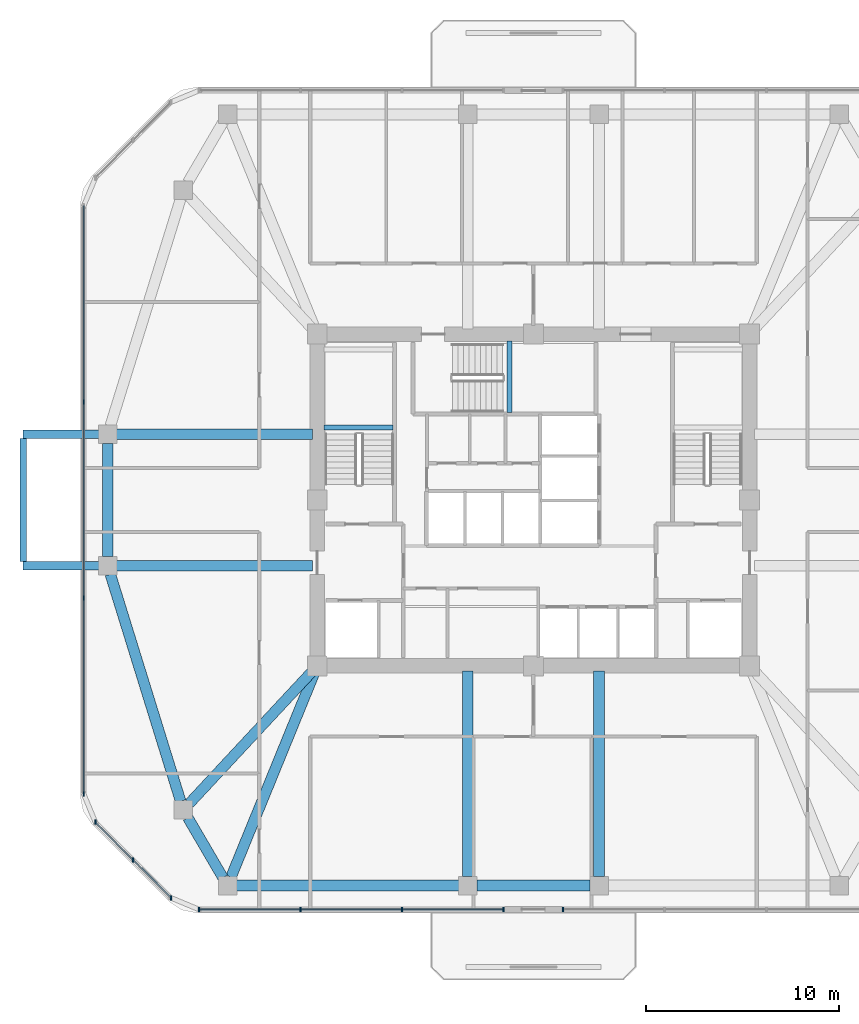
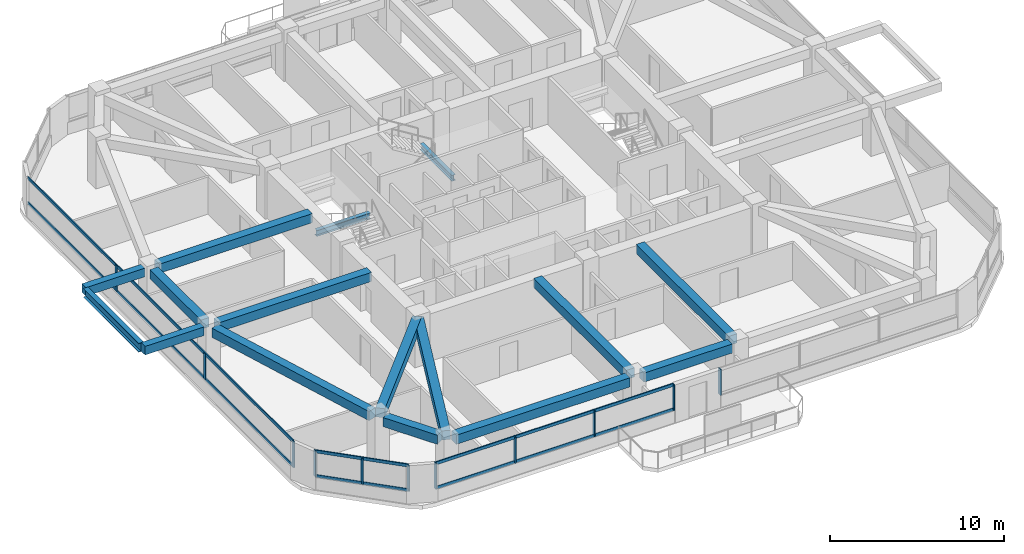
# One storey, part 2 of 12: 17 members, 16 beams, 4 elements without a shape of their own.
"""IFC4 building model written with IfcOpenShell, lengths in metres."""

from ifc_helpers import new_model, si_unit, derived_unit, direction, frame, origin, origin_2d, place, context, subcontext, project, spatial, rectangle, i_section, extrude, material, material_profile, profile_set, type_object, element, aggregate, save


model = new_model("IFC4")

# Units and contexts
model_context = context("Model", 3, precision=1e-05, world=origin(), true_north=direction((0.0, 1.0)))
body_context = subcontext(model_context, "Body", "Model", "MODEL_VIEW")
ifc_project = project(units=[si_unit("LENGTHUNIT", "METRE"), si_unit("AREAUNIT", "SQUARE_METRE"), si_unit("VOLUMEUNIT", "CUBIC_METRE"), si_unit("PLANEANGLEUNIT", "RADIAN"), si_unit("MASSUNIT", "GRAM", prefix="KILO"), derived_unit("THERMALTRANSMITTANCEUNIT", [(si_unit("POWERUNIT", "WATT"), 1), (si_unit("LENGTHUNIT", "METRE"), -2), (si_unit("THERMODYNAMICTEMPERATUREUNIT", "KELVIN"), -1)])], contexts=[model_context])

# Site, building, storey
site_placement = place(None, origin())
site = spatial("IfcSite", under=ifc_project, at=site_placement, CompositionType="ELEMENT")
building_placement = place(site_placement, origin())
building = spatial("IfcBuilding", under=site, at=building_placement, Name="Koralith Skygarden Medical Center", CompositionType="ELEMENT")
storey_placement = place(building_placement, frame((0.0, 0.0, 152.820068359375)))
storey = spatial("IfcBuildingStorey", under=building, at=storey_placement, Name="L39", CompositionType="ELEMENT", Elevation=152.820068359375)

# Curtain wall, members
ifc_material_1 = material(Name="Clear Laminated Glass", Category="glass")
curtain_wall_type = type_object("IfcCurtainWallType", Name="CW-4 Zone 3 Waist High-Wind Curtain Wall", PredefinedType="NOTDEFINED", material=ifc_material_1)
curtain_wall_1_placement = place(storey_placement, origin())
curtain_wall_1 = element("IfcCurtainWall", 1, at=curtain_wall_1_placement, inside=storey, type_object=curtain_wall_type, Name="Curtain Wall CW-L39-S-L", PredefinedType="NOTDEFINED")
ifc_material_2 = material(Name="Aluminium 6063-T6", Category="aluminium")
ifc_material_profile_1 = material_profile(ifc_material_2, rectangle(XDim=0.076904296875, YDim=0.22998046875, at=origin_2d()), Name="MUL77X230")
ifc_profile_set_1 = profile_set([ifc_material_profile_1], Name="Aluminium 6063-T6")
member_type_1 = type_object("IfcMemberType", Name="CW-4 Extruded Mullion 77x230", PredefinedType="MULLION", material=ifc_profile_set_1)
member_1_placement = place(storey_placement, frame((19.6708984375, 4.679931640625, 0.849853515625), z_axis=(0.0, 0.0, 1.0), x_axis=(1.0, 0.0, 0.0)))
member_1 = element("IfcMember", 2, at=member_1_placement, type_object=member_type_1, Name="CW-L39-S-L Mullion 1", PredefinedType="MULLION", context=body_context, shape_type="SweptSolid", body=[
    extrude(rectangle(XDim=0.076904296875, YDim=0.22998046875, at=origin_2d()), origin(), (0.0, 0.0, 1.0), 1.820068359375),
])
member_2_placement = place(storey_placement, frame((24.93408203125, 4.679931640625, 0.849853515625), z_axis=(0.0, 0.0, 1.0), x_axis=(1.0, 0.0, 0.0)))
member_2 = element("IfcMember", 3, at=member_2_placement, type_object=member_type_1, Name="CW-L39-S-L Mullion 2", PredefinedType="MULLION", context=body_context, shape_type="SweptSolid", body=[
    extrude(rectangle(XDim=0.076904296875, YDim=0.22998046875, at=origin_2d()), origin(), (0.0, 0.0, 1.0), 1.820068359375),
])
member_3_placement = place(storey_placement, frame((30.196044921875, 4.679931640625, 0.849853515625), z_axis=(0.0, 0.0, 1.0), x_axis=(1.0, 0.0, 0.0)))
member_3 = element("IfcMember", 4, at=member_3_placement, type_object=member_type_1, Name="CW-L39-S-L Mullion 3", PredefinedType="MULLION", context=body_context, shape_type="SweptSolid", body=[
    extrude(rectangle(XDim=0.076904296875, YDim=0.22998046875, at=origin_2d()), origin(), (0.0, 0.0, 1.0), 1.820068359375),
])
member_4_placement = place(storey_placement, frame((35.458984375, 4.679931640625, 0.849853515625), z_axis=(0.0, 0.0, 1.0), x_axis=(1.0, 0.0, 0.0)))
member_4 = element("IfcMember", 5, at=member_4_placement, type_object=member_type_1, Name="CW-L39-S-L Mullion 4", PredefinedType="MULLION", context=body_context, shape_type="SweptSolid", body=[
    extrude(rectangle(XDim=0.076904296875, YDim=0.22998046875, at=origin_2d()), origin(), (0.0, 0.0, 1.0), 1.820068359375),
])

# Curtain wall, member
curtain_wall_2_placement = place(storey_placement, origin())
curtain_wall_2 = element("IfcCurtainWall", 6, at=curtain_wall_2_placement, inside=storey, type_object=curtain_wall_type, Name="Curtain Wall CW-L39-S-R", PredefinedType="NOTDEFINED")
member_5_placement = place(storey_placement, frame((38.5390625, 4.679931640625, 0.849853515625), z_axis=(0.0, 0.0, 1.0), x_axis=(1.0, 0.0, 0.0)))
member_5 = element("IfcMember", 7, at=member_5_placement, type_object=member_type_1, Name="CW-L39-S-R Mullion 1", PredefinedType="MULLION", context=body_context, shape_type="SweptSolid", body=[
    extrude(rectangle(XDim=0.076904296875, YDim=0.22998046875, at=origin_2d()), origin(), (0.0, 0.0, 1.0), 1.820068359375),
])
aggregate(curtain_wall_2, [member_5])

# Curtain wall, members
curtain_wall_3_placement = place(storey_placement, origin())
curtain_wall_3 = element("IfcCurtainWall", 8, at=curtain_wall_3_placement, inside=storey, type_object=curtain_wall_type, Name="Curtain Wall CW-L39-W", PredefinedType="NOTDEFINED")
member_6_placement = place(storey_placement, frame((13.696044921875, 30.98193359375, 0.849853515625), z_axis=(0.0, 0.0, 1.0), x_axis=(1.0, 0.0, 0.0)))
member_6 = element("IfcMember", 9, at=member_6_placement, type_object=member_type_1, Name="CW-L39-W Mullion 2", PredefinedType="MULLION", context=body_context, shape_type="SweptSolid", body=[
    extrude(rectangle(XDim=0.076904296875, YDim=0.22998046875, at=origin_2d()), origin(), (0.0, 0.0, 1.0), 1.820068359375),
])
member_7_placement = place(storey_placement, frame((13.696044921875, 20.818115234375, 0.849853515625), z_axis=(0.0, 0.0, 1.0), x_axis=(1.0, 0.0, 0.0)))
member_7 = element("IfcMember", 10, at=member_7_placement, type_object=member_type_1, Name="CW-L39-W Mullion 3", PredefinedType="MULLION", context=body_context, shape_type="SweptSolid", body=[
    extrude(rectangle(XDim=0.076904296875, YDim=0.22998046875, at=origin_2d()), origin(), (0.0, 0.0, 1.0), 1.820068359375),
])
member_8_placement = place(storey_placement, frame((13.696044921875, 10.655029296875, 0.849853515625), z_axis=(0.0, 0.0, 1.0), x_axis=(1.0, 0.0, 0.0)))
member_8 = element("IfcMember", 11, at=member_8_placement, type_object=member_type_1, Name="CW-L39-W Mullion 4", PredefinedType="MULLION", context=body_context, shape_type="SweptSolid", body=[
    extrude(rectangle(XDim=0.076904296875, YDim=0.22998046875, at=origin_2d()), origin(), (0.0, 0.0, 1.0), 1.820068359375),
])

curtain_wall_4_placement = place(storey_placement, origin())
curtain_wall_4 = element("IfcCurtainWall", 12, at=curtain_wall_4_placement, inside=storey, type_object=curtain_wall_type, Name="Curtain Wall CW-L39-SW", PredefinedType="NOTDEFINED")
member_9_placement = place(storey_placement, frame((14.297119140625, 9.2041015625, 0.849853515625), z_axis=(0.0, 0.0, 1.0), x_axis=(1.0, 0.0, 0.0)))
member_9 = element("IfcMember", 13, at=member_9_placement, type_object=member_type_1, Name="CW-L39-SW Mullion 1", PredefinedType="MULLION", context=body_context, shape_type="SweptSolid", body=[
    extrude(rectangle(XDim=0.076904296875, YDim=0.22998046875, at=origin_2d()), origin(), (0.0, 0.0, 1.0), 1.820068359375),
])
member_10_placement = place(storey_placement, frame((16.258056640625, 7.241943359375, 0.849853515625), z_axis=(0.0, 0.0, 1.0), x_axis=(1.0, 0.0, 0.0)))
member_10 = element("IfcMember", 14, at=member_10_placement, type_object=member_type_1, Name="CW-L39-SW Mullion 2", PredefinedType="MULLION", context=body_context, shape_type="SweptSolid", body=[
    extrude(rectangle(XDim=0.076904296875, YDim=0.22998046875, at=origin_2d()), origin(), (0.0, 0.0, 1.0), 1.820068359375),
])
member_11_placement = place(storey_placement, frame((18.219970703125, 5.281005859375, 0.849853515625), z_axis=(0.0, 0.0, 1.0), x_axis=(1.0, 0.0, 0.0)))
member_11 = element("IfcMember", 15, at=member_11_placement, type_object=member_type_1, Name="CW-L39-SW Mullion 3", PredefinedType="MULLION", context=body_context, shape_type="SweptSolid", body=[
    extrude(rectangle(XDim=0.076904296875, YDim=0.22998046875, at=origin_2d()), origin(), (0.0, 0.0, 1.0), 1.820068359375),
])

# Member
ifc_material_profile_2 = material_profile(ifc_material_2, rectangle(XDim=0.072021484375, YDim=0.20703125, at=origin_2d()), Name="TRN72X207")
ifc_profile_set_2 = profile_set([ifc_material_profile_2], Name="Aluminium 6063-T6")
member_type_2 = type_object("IfcMemberType", Name="CW-4 Thermal Transom 72x207", PredefinedType="USERDEFINED", material=ifc_profile_set_2)
member_12_placement = place(storey_placement, frame((19.6708984375, 4.679931640625, 0.89990234375), z_axis=(1.0, 0.0, 0.0), x_axis=(0.0, 1.0, 0.0)))
member_12 = element("IfcMember", 16, at=member_12_placement, type_object=member_type_2, Name="CW-L39-S-L Transom 1", ObjectType="TRANSOM", PredefinedType="USERDEFINED", context=body_context, shape_type="SweptSolid", body=[
    extrude(rectangle(XDim=0.072021484375, YDim=0.20703125, at=origin_2d()), origin(), (0.0, 0.0, 1.0), 15.7880859375),
])

member_13_placement = place(storey_placement, frame((19.6708984375, 4.679931640625, 2.619873046875), z_axis=(1.0, 0.0, 0.0), x_axis=(0.0, 1.0, 0.0)))
member_13 = element("IfcMember", 17, at=member_13_placement, type_object=member_type_2, Name="CW-L39-S-L Transom 2", ObjectType="TRANSOM", PredefinedType="USERDEFINED", context=body_context, shape_type="SweptSolid", body=[
    extrude(rectangle(XDim=0.072021484375, YDim=0.20703125, at=origin_2d()), origin(), (0.0, 0.0, 1.0), 15.7880859375),
])

aggregate(curtain_wall_1, [member_1, member_2, member_3, member_4, member_12, member_13])

member_14_placement = place(storey_placement, frame((13.696044921875, 41.14501953125, 0.89990234375), z_axis=(0.0, -1.0, 0.0), x_axis=(1.0, 0.0, 0.0)))
member_14 = element("IfcMember", 18, at=member_14_placement, type_object=member_type_2, Name="CW-L39-W Transom 1", ObjectType="TRANSOM", PredefinedType="USERDEFINED", context=body_context, shape_type="SweptSolid", body=[
    extrude(rectangle(XDim=0.072021484375, YDim=0.20703125, at=origin_2d()), origin(), (0.0, 0.0, 1.0), 30.489990234375),
])

member_15_placement = place(storey_placement, frame((13.696044921875, 41.14501953125, 2.619873046875), z_axis=(0.0, -1.0, 0.0), x_axis=(1.0, 0.0, 0.0)))
member_15 = element("IfcMember", 19, at=member_15_placement, type_object=member_type_2, Name="CW-L39-W Transom 2", ObjectType="TRANSOM", PredefinedType="USERDEFINED", context=body_context, shape_type="SweptSolid", body=[
    extrude(rectangle(XDim=0.072021484375, YDim=0.20703125, at=origin_2d()), origin(), (0.0, 0.0, 1.0), 30.489990234375),
])

aggregate(curtain_wall_3, [member_6, member_7, member_8, member_14, member_15])

member_16_placement = place(storey_placement, frame((14.297119140625, 9.2041015625, 0.89990234375), z_axis=(0.707084777957, -0.707128783731, 0.0), x_axis=(0.707128783731, 0.707084777957, 0.0)))
member_16 = element("IfcMember", 20, at=member_16_placement, type_object=member_type_2, Name="CW-L39-SW Transom 1", ObjectType="TRANSOM", PredefinedType="USERDEFINED", context=body_context, shape_type="SweptSolid", body=[
    extrude(rectangle(XDim=0.072021484375, YDim=0.20703125, at=origin_2d()), origin(), (0.0, 0.0, 1.0), 5.5478515625),
])

member_17_placement = place(storey_placement, frame((14.297119140625, 9.2041015625, 2.619873046875), z_axis=(0.707084777957, -0.707128783731, 0.0), x_axis=(0.707128783731, 0.707084777957, 0.0)))
member_17 = element("IfcMember", 21, at=member_17_placement, type_object=member_type_2, Name="CW-L39-SW Transom 2", ObjectType="TRANSOM", PredefinedType="USERDEFINED", context=body_context, shape_type="SweptSolid", body=[
    extrude(rectangle(XDim=0.072021484375, YDim=0.20703125, at=origin_2d()), origin(), (0.0, 0.0, 1.0), 5.5478515625),
])

aggregate(curtain_wall_4, [member_9, member_10, member_11, member_16, member_17])

# Beams
ifc_material_3 = material(Name="Steel ASTM A992 Grade 50", Category="steel")
ifc_material_profile_3 = material_profile(ifc_material_3, i_section(OverallWidth=0.326904296875, OverallDepth=0.6220703125, WebThickness=0.015380859375, FlangeThickness=0.0244140625, at=origin_2d()), Name="W24X131")
ifc_profile_set_3 = profile_set([ifc_material_profile_3], Name="Steel ASTM A992 Grade 50")
beam_type_1 = type_object("IfcBeamType", Name="Cantilever Tie Beam W24X131", PredefinedType="BEAM", material=ifc_profile_set_3)
beam_1_placement = place(storey_placement, frame((10.555908203125, 22.719970703125, 3.029052734375), z_axis=(0.0, 1.0, 0.0), x_axis=(-1.0, 0.0, 0.0)))
element("IfcBeam", 22, at=beam_1_placement, inside=storey, type_object=beam_type_1, Name="L40 W Balcony Tip Tie Beam", PredefinedType="BEAM", context=body_context, shape_type="SweptSolid", body=[
    extrude(i_section(OverallWidth=0.326904296875, OverallDepth=0.6220703125, WebThickness=0.015380859375, FlangeThickness=0.0244140625, at=origin_2d()), origin(), (0.0, 0.0, 1.0), 6.360107421875),
])
ifc_material_profile_4 = material_profile(ifc_material_3, i_section(OverallWidth=0.260009765625, OverallDepth=0.4150390625, WebThickness=0.010009765625, FlangeThickness=0.016845703125, at=origin_2d()), Name="W16X67")
ifc_profile_set_4 = profile_set([ifc_material_profile_4], Name="Steel ASTM A992 Grade 50")
beam_type_2 = type_object("IfcBeamType", Name="Clinical Floor Joist W16X67", PredefinedType="JOIST", material=ifc_profile_set_4)
beam_2_placement = place(storey_placement, frame((26.155029296875, 29.659912109375, 1.392822265625), z_axis=(1.0, 0.0, 0.0), x_axis=(0.0, 1.0, 0.0)))
element("IfcBeam", 23, at=beam_2_placement, inside=storey, type_object=beam_type_2, Name="L39 Stair ST1 Half-Landing Support Beam 1A", PredefinedType="JOIST", context=body_context, shape_type="SweptSolid", body=[
    extrude(i_section(OverallWidth=0.260009765625, OverallDepth=0.4150390625, WebThickness=0.010009765625, FlangeThickness=0.016845703125, at=origin_2d()), origin(), (0.0, 0.0, 1.0), 3.56494140625),
])
beam_3_placement = place(storey_placement, frame((35.760009765625, 30.43994140625, 1.392822265625), z_axis=(0.0, 1.0, 0.0), x_axis=(-1.0, 0.0, 0.0)))
element("IfcBeam", 24, at=beam_3_placement, inside=storey, type_object=beam_type_2, Name="L39 Stair ST3 Half-Landing Support Beam 1A", PredefinedType="JOIST", context=body_context, shape_type="SweptSolid", body=[
    extrude(i_section(OverallWidth=0.260009765625, OverallDepth=0.4150390625, WebThickness=0.010009765625, FlangeThickness=0.016845703125, at=origin_2d()), origin(), (0.0, 0.0, 1.0), 3.705078125),
])
ifc_material_4 = material(Name="Concrete C45/55", Category="concrete")
ifc_material_profile_5 = material_profile(ifc_material_4, rectangle(XDim=0.449951171875, YDim=0.60009765625, at=origin_2d()), Name="RCB450X600")
ifc_profile_set_5 = profile_set([ifc_material_profile_5], Name="Concrete C45/55")
beam_type_3 = type_object("IfcBeamType", Name="Planted Balcony Cantilever Beam RCB450X600", PredefinedType="BEAM", material=ifc_profile_set_5)
for number, where, z_axis, x_axis, name in (
    (25, (14.47607421875, 22.5, 3.0400390625), (-1.0, 0.0, 0.0), (0.0, -1.0, 0.0), "L40 W Balcony Cantilever Beam A"),
    (26, (14.47607421875, 29.300048828125, 3.0400390625), (-1.0, 0.0, 0.0), (0.0, -1.0, 0.0), "L40 W Balcony Cantilever Beam B"),
):
    element("IfcBeam", number, at=place(storey_placement, frame(where, z_axis=z_axis, x_axis=x_axis)), inside=storey, type_object=beam_type_3, Name=name, PredefinedType="BEAM", context=body_context, shape_type="SweptSolid", body=[
        extrude(rectangle(XDim=0.449951171875, YDim=0.60009765625, at=origin_2d()), origin(), (0.0, 0.0, 1.0), 3.920166015625),
    ])
ifc_material_profile_6 = material_profile(ifc_material_4, rectangle(XDim=0.550048828125, YDim=0.639892578125, at=origin_2d()), Name="RCB550X640")
ifc_profile_set_6 = profile_set([ifc_material_profile_6], Name="Concrete C45/55")
beam_type_4 = type_object("IfcBeamType", Name="Radial Collector Beam RCB550X640", PredefinedType="BEAM", material=ifc_profile_set_6)
beam_4_placement = place(storey_placement, frame((25.550048828125, 22.5, 3.0), z_axis=(-1.0, 0.0, 0.0), x_axis=(0.0, -1.0, 0.0)))
element("IfcBeam", 27, at=beam_4_placement, inside=storey, type_object=beam_type_4, Name="L39 Radial Collector Beam RB-01", PredefinedType="BEAM", context=body_context, shape_type="SweptSolid", body=[
    extrude(rectangle(XDim=0.550048828125, YDim=0.639892578125, at=origin_2d()), origin(), (0.0, 0.0, 1.0), 10.14404296875),
])
beam_5_placement = place(storey_placement, frame((25.6298828125, 17.116943359375, 3.0), z_axis=(-0.681369011591, -0.731940072713, 0.0), x_axis=(0.731940072713, -0.681369011591, 0.0)))
element("IfcBeam", 28, at=beam_5_placement, inside=storey, type_object=beam_type_4, Name="L39 Radial Collector Beam RB-02", PredefinedType="BEAM", context=body_context, shape_type="SweptSolid", body=[
    extrude(rectangle(XDim=0.550048828125, YDim=0.639892578125, at=origin_2d()), origin(), (0.0, 0.0, 1.0), 9.471923828125),
])
beam_6_placement = place(storey_placement, frame((25.705078125, 17.069091796875, 3.0), z_axis=(-0.378344544364, -0.92566484526, 0.0), x_axis=(0.92566484526, -0.378344544364, 0.0)))
element("IfcBeam", 29, at=beam_6_placement, inside=storey, type_object=beam_type_4, Name="L39 Radial Collector Beam RB-03", PredefinedType="BEAM", context=body_context, shape_type="SweptSolid", body=[
    extrude(rectangle(XDim=0.550048828125, YDim=0.639892578125, at=origin_2d()), origin(), (0.0, 0.0, 1.0), 11.574462890625),
])
for number, where, z_axis, x_axis, name in (
    (30, (33.60009765625, 17.050048828125, 3.0), (0.0, -1.0, 0.0), (1.0, 0.0, 0.0), "L39 Radial Collector Beam RB-04"),
    (31, (40.39990234375, 17.050048828125, 3.0), (0.0, -1.0, 0.0), (1.0, 0.0, 0.0), "L39 Radial Collector Beam RB-05"),
):
    element("IfcBeam", number, at=place(storey_placement, frame(where, z_axis=z_axis, x_axis=x_axis)), inside=storey, type_object=beam_type_4, Name=name, PredefinedType="BEAM", context=body_context, shape_type="SweptSolid", body=[
        extrude(rectangle(XDim=0.550048828125, YDim=0.639892578125, at=origin_2d()), origin(), (0.0, 0.0, 1.0), 10.66015625),
    ])
beam_7_placement = place(storey_placement, frame((25.550048828125, 29.300048828125, 3.0), z_axis=(-1.0, 0.0, 0.0), x_axis=(0.0, -1.0, 0.0)))
element("IfcBeam", 32, at=beam_7_placement, inside=storey, type_object=beam_type_4, Name="L39 Radial Collector Beam RB-16", PredefinedType="BEAM", context=body_context, shape_type="SweptSolid", body=[
    extrude(rectangle(XDim=0.550048828125, YDim=0.639892578125, at=origin_2d()), origin(), (0.0, 0.0, 1.0), 10.14404296875),
])
ifc_material_profile_7 = material_profile(ifc_material_4, rectangle(XDim=0.550048828125, YDim=0.639892578125, at=origin_2d()), Name="RCB550X640")
ifc_profile_set_7 = profile_set([ifc_material_profile_7], Name="Concrete C45/55")
beam_type_5 = type_object("IfcBeamType", Name="Zone 2-3 Spandrel Beam RCB550X640", PredefinedType="SPANDREL", material=ifc_profile_set_7)
beam_8_placement = place(storey_placement, frame((15.074951171875, 22.051025390625, 3.0), z_axis=(0.295793585147, -0.955251880389, 0.0), x_axis=(0.955251880389, 0.295793585147, 0.0)))
element("IfcBeam", 33, at=beam_8_placement, inside=storey, type_object=beam_type_5, Name="L39 Perimeter Spandrel Beam SP-01", PredefinedType="SPANDREL", context=body_context, shape_type="SweptSolid", body=[
    extrude(rectangle(XDim=0.550048828125, YDim=0.639892578125, at=origin_2d()), origin(), (0.0, 0.0, 1.0), 12.31298828125),
])
beam_9_placement = place(storey_placement, frame((19.093017578125, 9.43408203125, 3.0), z_axis=(0.504861391295, -0.863200426077, 0.0), x_axis=(0.863200426077, 0.504861391295, 0.0)))
element("IfcBeam", 34, at=beam_9_placement, inside=storey, type_object=beam_type_5, Name="L39 Perimeter Spandrel Beam SP-02", PredefinedType="SPANDREL", context=body_context, shape_type="SweptSolid", body=[
    extrude(rectangle(XDim=0.550048828125, YDim=0.639892578125, at=origin_2d()), origin(), (0.0, 0.0, 1.0), 3.600830078125),
])
beam_10_placement = place(storey_placement, frame((21.617919921875, 5.919921875, 3.0), z_axis=(1.0, 0.0, 0.0), x_axis=(0.0, 1.0, 0.0)))
element("IfcBeam", 35, at=beam_10_placement, inside=storey, type_object=beam_type_5, Name="L39 Perimeter Spandrel Beam SP-03", PredefinedType="SPANDREL", context=body_context, shape_type="SweptSolid", body=[
    extrude(rectangle(XDim=0.550048828125, YDim=0.639892578125, at=origin_2d()), origin(), (0.0, 0.0, 1.0), 11.511962890625),
])
beam_11_placement = place(storey_placement, frame((34.070068359375, 5.919921875, 3.0), z_axis=(1.0, 0.0, 0.0), x_axis=(0.0, 1.0, 0.0)))
element("IfcBeam", 36, at=beam_11_placement, inside=storey, type_object=beam_type_5, Name="L39 Perimeter Spandrel Beam SP-04", PredefinedType="SPANDREL", context=body_context, shape_type="SweptSolid", body=[
    extrude(rectangle(XDim=0.550048828125, YDim=0.639892578125, at=origin_2d()), origin(), (0.0, 0.0, 1.0), 5.85986328125),
])
beam_12_placement = place(storey_placement, frame((14.93603515625, 28.830078125, 3.0), z_axis=(0.0, -1.0, 0.0), x_axis=(1.0, 0.0, 0.0)))
element("IfcBeam", 37, at=beam_12_placement, inside=storey, type_object=beam_type_5, Name="L39 Perimeter Spandrel Beam SP-16", PredefinedType="SPANDREL", context=body_context, shape_type="SweptSolid", body=[
    extrude(rectangle(XDim=0.550048828125, YDim=0.639892578125, at=origin_2d()), origin(), (0.0, 0.0, 1.0), 5.860107421875),
])

save(model, "model.ifc")
